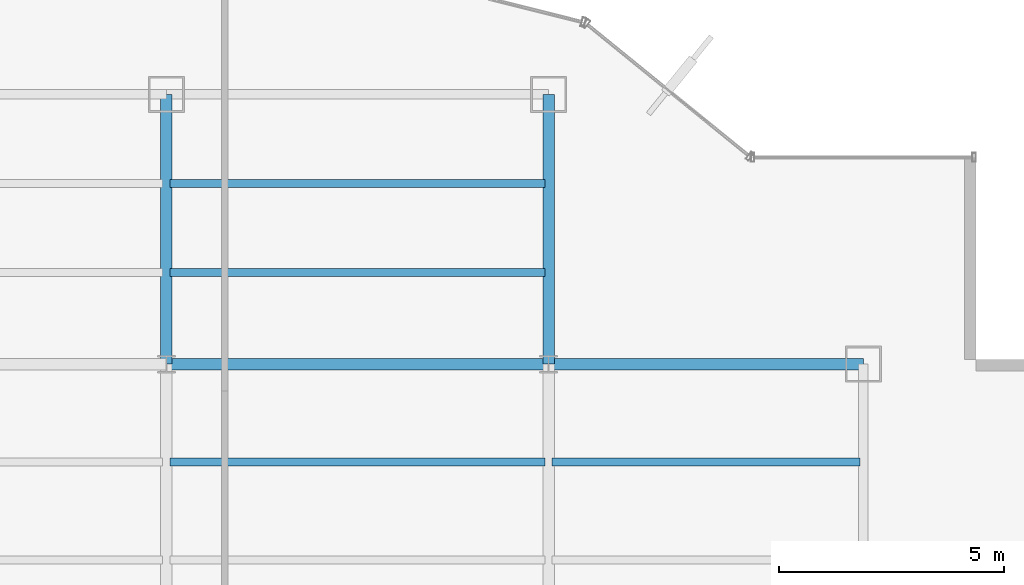
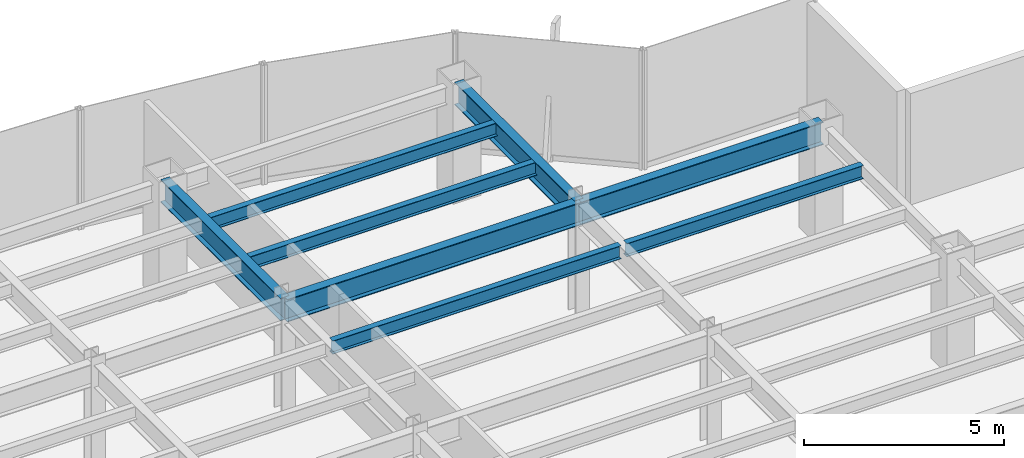
# One storey, part 17 of 26: 8 beams.
"""IFC4 building model written with IfcOpenShell, lengths in metres."""

from ifc_helpers import new_model, si_unit, derived_unit, direction, frame, origin, origin_2d, place, context, subcontext, project, spatial, i_section, extrude, source, transform, mapped, material, material_profile, profile_set, type_object, element, save


model = new_model("IFC4")

# Units and contexts
model_context = context("Model", 3, precision=1e-05, world=origin(), true_north=direction((0.0, 1.0)))
body_context = subcontext(model_context, "Body", "Model", "MODEL_VIEW")
ifc_project = project(units=[si_unit("LENGTHUNIT", "METRE"), si_unit("AREAUNIT", "SQUARE_METRE"), si_unit("VOLUMEUNIT", "CUBIC_METRE"), si_unit("PLANEANGLEUNIT", "RADIAN"), si_unit("MASSUNIT", "GRAM", prefix="KILO"), derived_unit("THERMALTRANSMITTANCEUNIT", [(si_unit("POWERUNIT", "WATT"), 1), (si_unit("LENGTHUNIT", "METRE"), -2), (si_unit("THERMODYNAMICTEMPERATUREUNIT", "KELVIN"), -1)])], contexts=[model_context])

# Site, building, storey
site_placement = place(None, origin())
site = spatial("IfcSite", under=ifc_project, at=site_placement, CompositionType="ELEMENT")
building_placement = place(site_placement, origin())
building = spatial("IfcBuilding", under=site, at=building_placement, Name="Skarnbrae Concourse Arena and Tower", CompositionType="ELEMENT")
storey_placement = place(building_placement, frame((0.0, 0.0, 106.89990234375)))
storey = spatial("IfcBuildingStorey", under=building, at=storey_placement, Name="L26", CompositionType="ELEMENT", Elevation=106.89990234375)

# Beams
ifc_material = material(Name="Steel CSA G40.21 350W", Category="steel")
ifc_material_profile_1 = material_profile(ifc_material, i_section(OverallWidth=0.256103515625, OverallDepth=0.693115234375, WebThickness=0.014404296875, FlangeThickness=0.023681640625, at=origin_2d()), Name="W690X170")
ifc_profile_set_1 = profile_set([ifc_material_profile_1], Name="Steel CSA G40.21 350W")
beam_type_1 = type_object("IfcBeamType", Name="BM-GIRD-W690X170", PredefinedType="BEAM", material=ifc_profile_set_1)
shared_shape_1 = source(origin(), body_context, "Body", "SweptSolid", [
    extrude(i_section(OverallWidth=0.256103515625, OverallDepth=0.693115234375, WebThickness=0.014404296875, FlangeThickness=0.023681640625, at=origin_2d()), origin(), (0.0, 0.0, 1.0), 7.0),
])
beam_1_placement = place(storey_placement, frame((42.0, 34.39990234375, 3.0537109375), z_axis=(1.0, 0.0, 0.0), x_axis=(0.0, 1.0, 0.0)))
element("IfcBeam", 1, at=beam_1_placement, inside=storey, type_object=beam_type_1, Name="L26 Primary E-W girder Y34.4-6", PredefinedType="BEAM", context=body_context, shape_type="MappedRepresentation", body=[
    mapped(shared_shape_1, transform((0.0, 0.0, 0.0))),
])
shared_shape_2 = source(origin(), body_context, "Body", "SweptSolid", [
    extrude(i_section(OverallWidth=0.256103515625, OverallDepth=0.693115234375, WebThickness=0.014404296875, FlangeThickness=0.023681640625, at=origin_2d()), origin(), (0.0, 0.0, 1.0), 8.5),
])
beam_2_placement = place(storey_placement, frame((33.5, 34.39990234375, 3.0537109375), z_axis=(1.0, 0.0, 0.0), x_axis=(0.0, 1.0, 0.0)))
element("IfcBeam", 2, at=beam_2_placement, inside=storey, type_object=beam_type_1, Name="L26 Primary E-W girder Y34.4-5", PredefinedType="BEAM", context=body_context, shape_type="MappedRepresentation", body=[
    mapped(shared_shape_2, transform((0.0, 0.0, 0.0))),
])
shared_shape_3 = source(origin(), body_context, "Body", "SweptSolid", [
    extrude(i_section(OverallWidth=0.256103515625, OverallDepth=0.693115234375, WebThickness=0.014404296875, FlangeThickness=0.023681640625, at=origin_2d()), origin(), (0.0, 0.0, 1.0), 6.0),
])
for number, where, z_axis, x_axis, name in (
    (3, (33.5, 34.39990234375, 3.0537109375), (0.0, 1.0, 0.0), (-1.0, 0.0, 0.0), "L26 Primary N-S girder X33.5-4"),
    (4, (42.0, 34.39990234375, 3.0537109375), (0.0, 1.0, 0.0), (-1.0, 0.0, 0.0), "L26 Primary N-S girder X42.0-5"),
):
    element("IfcBeam", number, at=place(storey_placement, frame(where, z_axis=z_axis, x_axis=x_axis)), inside=storey, type_object=beam_type_1, Name=name, PredefinedType="BEAM", context=body_context, shape_type="MappedRepresentation", body=[
        mapped(shared_shape_3, transform((0.0, 0.0, 0.0))),
    ])
ifc_material_profile_2 = material_profile(ifc_material, i_section(OverallWidth=0.177978515625, OverallDepth=0.406982421875, WebThickness=0.0078125, FlangeThickness=0.0126953125, at=origin_2d()), Name="W410X60")
ifc_profile_set_2 = profile_set([ifc_material_profile_2], Name="Steel CSA G40.21 350W")
beam_type_2 = type_object("IfcBeamType", Name="BM-JOIST-W410X60", PredefinedType="JOIST", material=ifc_profile_set_2)
shared_shape_4 = source(origin(), body_context, "Body", "SweptSolid", [
    extrude(i_section(OverallWidth=0.177978515625, OverallDepth=0.406982421875, WebThickness=0.0078125, FlangeThickness=0.0126953125, at=origin_2d()), origin(), (0.0, 0.0, 1.0), 8.33984375),
])
for number, where, z_axis, x_axis, name in (
    (5, (33.580078125, 32.221923828125, 3.196533203125), (1.0, 0.0, 0.0), (0.0, 1.0, 0.0), "L26 Secondary floor joist 3.2.5"),
    (6, (33.580078125, 36.43994140625, 3.196533203125), (1.0, 0.0, 0.0), (0.0, 1.0, 0.0), "L26 Secondary floor joist 4.1.4"),
    (7, (33.580078125, 38.419921875, 3.196533203125), (1.0, 0.0, 0.0), (0.0, 1.0, 0.0), "L26 Secondary floor joist 4.2.4"),
):
    element("IfcBeam", number, at=place(storey_placement, frame(where, z_axis=z_axis, x_axis=x_axis)), inside=storey, type_object=beam_type_2, Name=name, PredefinedType="JOIST", context=body_context, shape_type="MappedRepresentation", body=[
        mapped(shared_shape_4, transform((0.0, 0.0, 0.0))),
    ])
shared_shape_5 = source(origin(), body_context, "Body", "SweptSolid", [
    extrude(i_section(OverallWidth=0.177978515625, OverallDepth=0.406982421875, WebThickness=0.0078125, FlangeThickness=0.0126953125, at=origin_2d()), origin(), (0.0, 0.0, 1.0), 6.83984375),
])
beam_3_placement = place(storey_placement, frame((42.080078125, 32.221923828125, 3.196533203125), z_axis=(1.0, 0.0, 0.0), x_axis=(0.0, 1.0, 0.0)))
element("IfcBeam", 8, at=beam_3_placement, inside=storey, type_object=beam_type_2, Name="L26 Secondary floor joist 3.2.6", PredefinedType="JOIST", context=body_context, shape_type="MappedRepresentation", body=[
    mapped(shared_shape_5, transform((0.0, 0.0, 0.0))),
])

save(model, "model.ifc")
